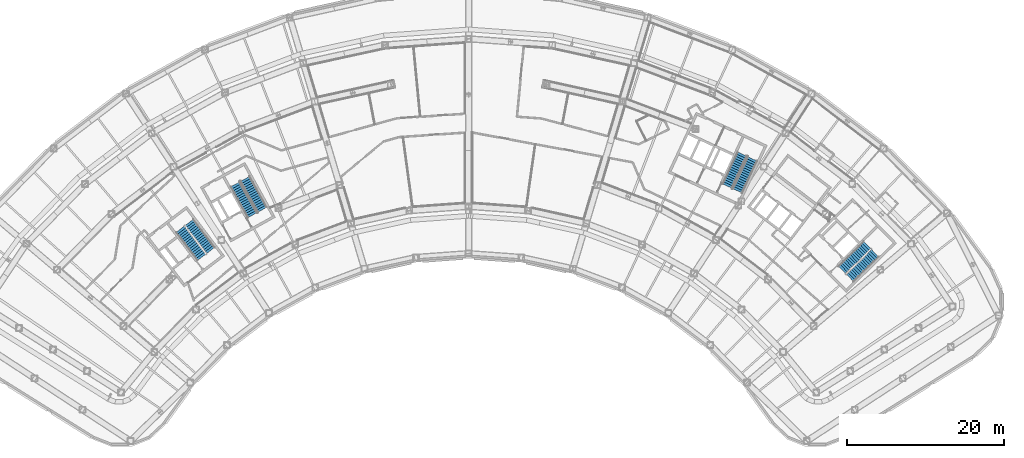
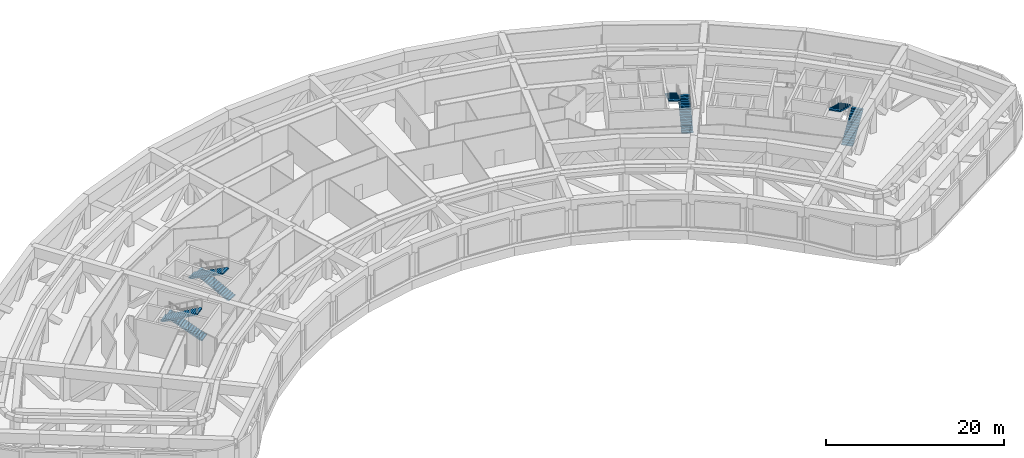
# One storey, part 16 of 30: 8 stair flights, 4 elements without a shape of their own.
"""IFC4 building model written with IfcOpenShell, lengths in metres."""

from ifc_helpers import new_model, si_unit, direction, frame, origin, place, context, subcontext, project, spatial, polyline, outline, extrude, material, type_object, element, aggregate, save


model = new_model("IFC4")

# Units and contexts
model_context = context("Model", 3, precision=1e-05, world=origin(), true_north=direction((0.0, 1.0)))
body_context = subcontext(model_context, "Body", "Model", "MODEL_VIEW")
ifc_project = project(units=[si_unit("LENGTHUNIT", "METRE"), si_unit("AREAUNIT", "SQUARE_METRE"), si_unit("VOLUMEUNIT", "CUBIC_METRE"), si_unit("PLANEANGLEUNIT", "RADIAN"), si_unit("MASSUNIT", "GRAM", prefix="KILO")], contexts=[model_context])

# Site, building, storey
site_placement = place(None, origin())
site = spatial("IfcSite", under=ifc_project, at=site_placement, CompositionType="ELEMENT")
building_placement = place(site_placement, origin())
building = spatial("IfcBuilding", under=site, at=building_placement, Name="Tuul Gate Civic Tower", CompositionType="ELEMENT")
storey_placement = place(building_placement, frame((0.0, 0.0, 26.699951171875)))
storey = spatial("IfcBuildingStorey", under=building, at=storey_placement, Name="Plant and refuge floor 1", CompositionType="ELEMENT", Elevation=26.699951171875)

# Stair, stair flights
ifc_material_1 = material(Name="Concrete C40/50", Category="concrete")
stair_type = type_object("IfcStairType", Name="Exit stair", PredefinedType="HALF_TURN_STAIR", material=ifc_material_1)
stair_1_placement = place(storey_placement, origin())
stair_1 = element("IfcStair", 1, at=stair_1_placement, inside=storey, type_object=stair_type, Name="Plant and refuge floor 1 ST-1", PredefinedType="HALF_TURN_STAIR")
ifc_material_2 = material(Name="Concrete C40/50", Category="concrete")
stair_flight_type = type_object("IfcStairFlightType", Name="Exit stair flight", PredefinedType="STRAIGHT", material=ifc_material_2)
stair_flight_1_placement = place(storey_placement, frame((-32.875244140625, -13.066650390625, 0.0), z_axis=(0.0, 0.0, 1.0), x_axis=(-0.605764474941, 0.795644016442, 0.0)))
stair_flight_1 = element("IfcStairFlight", 2, at=stair_flight_1_placement, type_object=stair_flight_type, Name="ST-1 flight 1", NumberOfRisers=16, NumberOfTreads=15, PredefinedType="STRAIGHT", RiserHeight=0.15, TreadLength=0.3, context=body_context, shape_type="SweptSolid", body=[
    extrude(outline(polyline([(0.0, 0.0), (0.0, 0.14990234375), (0.300048828125, 0.14990234375), (0.300048828125, 0.300048828125), (0.60009765625, 0.300048828125), (0.60009765625, 0.449951171875), (0.89990234375, 0.449951171875), (0.89990234375, 0.60009765625), (1.199951171875, 0.60009765625), (1.199951171875, 0.75), (1.5, 0.75), (1.5, 0.89990234375), (1.800048828125, 0.89990234375), (1.800048828125, 1.050048828125), (2.10009765625, 1.050048828125), (2.10009765625, 1.199951171875), (2.39990234375, 1.199951171875), (2.39990234375, 1.35009765625), (2.699951171875, 1.35009765625), (2.699951171875, 1.5), (3.0, 1.5), (3.0, 1.64990234375), (3.300048828125, 1.64990234375), (3.300048828125, 1.800048828125), (3.60009765625, 1.800048828125), (3.60009765625, 1.949951171875), (3.89990234375, 1.949951171875), (3.89990234375, 2.10009765625), (4.199951171875, 2.10009765625), (4.199951171875, 2.25), (4.5, 2.25), (4.5, 2.39990234375), (4.5, 2.08251953125), (0.335205078125, 0.0), (0.0, 0.0)])), frame((0.0, 0.675048828125, 0.0), z_axis=(0.0, -1.0, 0.0), x_axis=(1.0, 0.0, 0.0)), (0.0, 0.0, 1.0), 1.35009765625),
])
stair_flight_2_placement = place(storey_placement, frame((-36.7548828125, -10.36474609375, 2.400146484375), z_axis=(0.0, 0.0, 1.0), x_axis=(0.605764474941, -0.795644016442, 0.0)))
stair_flight_2 = element("IfcStairFlight", 3, at=stair_flight_2_placement, type_object=stair_flight_type, Name="ST-1 flight 2", NumberOfRisers=16, NumberOfTreads=15, PredefinedType="STRAIGHT", RiserHeight=0.15, TreadLength=0.3, context=body_context, shape_type="SweptSolid", body=[
    extrude(outline(polyline([(0.0, 0.0), (0.0, 0.14990234375), (0.300048828125, 0.14990234375), (0.300048828125, 0.300048828125), (0.60009765625, 0.300048828125), (0.60009765625, 0.449951171875), (0.89990234375, 0.449951171875), (0.89990234375, 0.60009765625), (1.199951171875, 0.60009765625), (1.199951171875, 0.75), (1.5, 0.75), (1.5, 0.89990234375), (1.800048828125, 0.89990234375), (1.800048828125, 1.050048828125), (2.10009765625, 1.050048828125), (2.10009765625, 1.199951171875), (2.39990234375, 1.199951171875), (2.39990234375, 1.35009765625), (2.699951171875, 1.35009765625), (2.699951171875, 1.5), (3.0, 1.5), (3.0, 1.64990234375), (3.300048828125, 1.64990234375), (3.300048828125, 1.800048828125), (3.60009765625, 1.800048828125), (3.60009765625, 1.949951171875), (3.89990234375, 1.949951171875), (3.89990234375, 2.10009765625), (4.199951171875, 2.10009765625), (4.199951171875, 2.25), (4.5, 2.25), (4.5, 2.39990234375), (4.5, 2.08251953125), (0.335205078125, 0.0), (0.0, 0.0)])), frame((0.0, 0.675048828125, 0.0), z_axis=(0.0, -1.0, 0.0), x_axis=(1.0, 0.0, 0.0)), (0.0, 0.0, 1.0), 1.35009765625),
])
aggregate(stair_1, [stair_flight_1, stair_flight_2])

stair_2_placement = place(storey_placement, origin())
stair_2 = element("IfcStair", 4, at=stair_2_placement, inside=storey, type_object=stair_type, Name="Plant and refuge floor 1 ST-2", PredefinedType="HALF_TURN_STAIR")
stair_flight_3_placement = place(storey_placement, frame((-26.29150390625, -7.87646484375, 0.0), z_axis=(0.0, 0.0, 1.0), x_axis=(-0.484761763766, 0.874646232708, 0.0)))
stair_flight_3 = element("IfcStairFlight", 5, at=stair_flight_3_placement, type_object=stair_flight_type, Name="ST-2 flight 1", NumberOfRisers=16, NumberOfTreads=15, PredefinedType="STRAIGHT", RiserHeight=0.15, TreadLength=0.3, context=body_context, shape_type="SweptSolid", body=[
    extrude(outline(polyline([(0.0, 0.0), (0.0, 0.14990234375), (0.300048828125, 0.14990234375), (0.300048828125, 0.300048828125), (0.60009765625, 0.300048828125), (0.60009765625, 0.449951171875), (0.89990234375, 0.449951171875), (0.89990234375, 0.60009765625), (1.199951171875, 0.60009765625), (1.199951171875, 0.75), (1.5, 0.75), (1.5, 0.89990234375), (1.800048828125, 0.89990234375), (1.800048828125, 1.050048828125), (2.10009765625, 1.050048828125), (2.10009765625, 1.199951171875), (2.39990234375, 1.199951171875), (2.39990234375, 1.35009765625), (2.699951171875, 1.35009765625), (2.699951171875, 1.5), (3.0, 1.5), (3.0, 1.64990234375), (3.300048828125, 1.64990234375), (3.300048828125, 1.800048828125), (3.60009765625, 1.800048828125), (3.60009765625, 1.949951171875), (3.89990234375, 1.949951171875), (3.89990234375, 2.10009765625), (4.199951171875, 2.10009765625), (4.199951171875, 2.25), (4.5, 2.25), (4.5, 2.39990234375), (4.5, 2.08251953125), (0.335205078125, 0.0), (0.0, 0.0)])), frame((0.0, 0.675048828125, 0.0), z_axis=(0.0, -1.0, 0.0), x_axis=(1.0, 0.0, 0.0)), (0.0, 0.0, 1.0), 1.35009765625),
])
stair_flight_4_placement = place(storey_placement, frame((-29.7412109375, -4.6435546875, 2.400146484375), z_axis=(0.0, 0.0, 1.0), x_axis=(0.484761763766, -0.874646232708, 0.0)))
stair_flight_4 = element("IfcStairFlight", 6, at=stair_flight_4_placement, type_object=stair_flight_type, Name="ST-2 flight 2", NumberOfRisers=16, NumberOfTreads=15, PredefinedType="STRAIGHT", RiserHeight=0.15, TreadLength=0.3, context=body_context, shape_type="SweptSolid", body=[
    extrude(outline(polyline([(0.0, 0.0), (0.0, 0.14990234375), (0.300048828125, 0.14990234375), (0.300048828125, 0.300048828125), (0.60009765625, 0.300048828125), (0.60009765625, 0.449951171875), (0.89990234375, 0.449951171875), (0.89990234375, 0.60009765625), (1.199951171875, 0.60009765625), (1.199951171875, 0.75), (1.5, 0.75), (1.5, 0.89990234375), (1.800048828125, 0.89990234375), (1.800048828125, 1.050048828125), (2.10009765625, 1.050048828125), (2.10009765625, 1.199951171875), (2.39990234375, 1.199951171875), (2.39990234375, 1.35009765625), (2.699951171875, 1.35009765625), (2.699951171875, 1.5), (3.0, 1.5), (3.0, 1.64990234375), (3.300048828125, 1.64990234375), (3.300048828125, 1.800048828125), (3.60009765625, 1.800048828125), (3.60009765625, 1.949951171875), (3.89990234375, 1.949951171875), (3.89990234375, 2.10009765625), (4.199951171875, 2.10009765625), (4.199951171875, 2.25), (4.5, 2.25), (4.5, 2.39990234375), (4.5, 2.08251953125), (0.335205078125, 0.0), (0.0, 0.0)])), frame((0.0, 0.675048828125, 0.0), z_axis=(0.0, -1.0, 0.0), x_axis=(1.0, 0.0, 0.0)), (0.0, 0.0, 1.0), 1.35009765625),
])
aggregate(stair_2, [stair_flight_3, stair_flight_4])

stair_3_placement = place(storey_placement, origin())
stair_3 = element("IfcStair", 7, at=stair_3_placement, inside=storey, type_object=stair_type, Name="Plant and refuge floor 1 ST-3", PredefinedType="HALF_TURN_STAIR")
stair_flight_5_placement = place(storey_placement, frame((48.61376953125, -16.581787109375, 0.0), z_axis=(0.0, 0.0, 1.0), x_axis=(0.714127290059, 0.700015866672, 0.0)))
stair_flight_5 = element("IfcStairFlight", 8, at=stair_flight_5_placement, type_object=stair_flight_type, Name="ST-3 flight 1", NumberOfRisers=16, NumberOfTreads=15, PredefinedType="STRAIGHT", RiserHeight=0.15, TreadLength=0.3, context=body_context, shape_type="SweptSolid", body=[
    extrude(outline(polyline([(0.0, 0.0), (0.0, 0.14990234375), (0.300048828125, 0.14990234375), (0.300048828125, 0.300048828125), (0.60009765625, 0.300048828125), (0.60009765625, 0.449951171875), (0.89990234375, 0.449951171875), (0.89990234375, 0.60009765625), (1.199951171875, 0.60009765625), (1.199951171875, 0.75), (1.5, 0.75), (1.5, 0.89990234375), (1.800048828125, 0.89990234375), (1.800048828125, 1.050048828125), (2.10009765625, 1.050048828125), (2.10009765625, 1.199951171875), (2.39990234375, 1.199951171875), (2.39990234375, 1.35009765625), (2.699951171875, 1.35009765625), (2.699951171875, 1.5), (3.0, 1.5), (3.0, 1.64990234375), (3.300048828125, 1.64990234375), (3.300048828125, 1.800048828125), (3.60009765625, 1.800048828125), (3.60009765625, 1.949951171875), (3.89990234375, 1.949951171875), (3.89990234375, 2.10009765625), (4.199951171875, 2.10009765625), (4.199951171875, 2.25), (4.5, 2.25), (4.5, 2.39990234375), (4.5, 2.08251953125), (0.335205078125, 0.0), (0.0, 0.0)])), frame((0.0, 0.675048828125, 0.0), z_axis=(0.0, -1.0, 0.0), x_axis=(1.0, 0.0, 0.0)), (0.0, 0.0, 1.0), 1.35009765625),
])
stair_flight_6_placement = place(storey_placement, frame((50.812255859375, -12.396240234375, 2.400146484375), z_axis=(0.0, 0.0, 1.0), x_axis=(-0.714127290059, -0.700015866672, 0.0)))
stair_flight_6 = element("IfcStairFlight", 9, at=stair_flight_6_placement, type_object=stair_flight_type, Name="ST-3 flight 2", NumberOfRisers=16, NumberOfTreads=15, PredefinedType="STRAIGHT", RiserHeight=0.15, TreadLength=0.3, context=body_context, shape_type="SweptSolid", body=[
    extrude(outline(polyline([(0.0, 0.0), (0.0, 0.14990234375), (0.300048828125, 0.14990234375), (0.300048828125, 0.300048828125), (0.60009765625, 0.300048828125), (0.60009765625, 0.449951171875), (0.89990234375, 0.449951171875), (0.89990234375, 0.60009765625), (1.199951171875, 0.60009765625), (1.199951171875, 0.75), (1.5, 0.75), (1.5, 0.89990234375), (1.800048828125, 0.89990234375), (1.800048828125, 1.050048828125), (2.10009765625, 1.050048828125), (2.10009765625, 1.199951171875), (2.39990234375, 1.199951171875), (2.39990234375, 1.35009765625), (2.699951171875, 1.35009765625), (2.699951171875, 1.5), (3.0, 1.5), (3.0, 1.64990234375), (3.300048828125, 1.64990234375), (3.300048828125, 1.800048828125), (3.60009765625, 1.800048828125), (3.60009765625, 1.949951171875), (3.89990234375, 1.949951171875), (3.89990234375, 2.10009765625), (4.199951171875, 2.10009765625), (4.199951171875, 2.25), (4.5, 2.25), (4.5, 2.39990234375), (4.5, 2.08251953125), (0.335205078125, 0.0), (0.0, 0.0)])), frame((0.0, 0.675048828125, 0.0), z_axis=(0.0, -1.0, 0.0), x_axis=(1.0, 0.0, 0.0)), (0.0, 0.0, 1.0), 1.35009765625),
])
aggregate(stair_3, [stair_flight_5, stair_flight_6])

stair_4_placement = place(storey_placement, origin())
stair_4 = element("IfcStair", 10, at=stair_4_placement, inside=storey, type_object=stair_type, Name="Plant and refuge floor 1 ST-4", PredefinedType="HALF_TURN_STAIR")
stair_flight_7_placement = place(storey_placement, frame((34.278564453125, -5.478515625, 0.0), z_axis=(0.0, 0.0, 1.0), x_axis=(0.422576295988, 0.906327354806, 0.0)))
stair_flight_7 = element("IfcStairFlight", 11, at=stair_flight_7_placement, type_object=stair_flight_type, Name="ST-4 flight 1", NumberOfRisers=16, NumberOfTreads=15, PredefinedType="STRAIGHT", RiserHeight=0.15, TreadLength=0.3, context=body_context, shape_type="SweptSolid", body=[
    extrude(outline(polyline([(0.0, 0.0), (0.0, 0.14990234375), (0.300048828125, 0.14990234375), (0.300048828125, 0.300048828125), (0.60009765625, 0.300048828125), (0.60009765625, 0.449951171875), (0.89990234375, 0.449951171875), (0.89990234375, 0.60009765625), (1.199951171875, 0.60009765625), (1.199951171875, 0.75), (1.5, 0.75), (1.5, 0.89990234375), (1.800048828125, 0.89990234375), (1.800048828125, 1.050048828125), (2.10009765625, 1.050048828125), (2.10009765625, 1.199951171875), (2.39990234375, 1.199951171875), (2.39990234375, 1.35009765625), (2.699951171875, 1.35009765625), (2.699951171875, 1.5), (3.0, 1.5), (3.0, 1.64990234375), (3.300048828125, 1.64990234375), (3.300048828125, 1.800048828125), (3.60009765625, 1.800048828125), (3.60009765625, 1.949951171875), (3.89990234375, 1.949951171875), (3.89990234375, 2.10009765625), (4.199951171875, 2.10009765625), (4.199951171875, 2.25), (4.5, 2.25), (4.5, 2.39990234375), (4.5, 2.08251953125), (0.335205078125, 0.0), (0.0, 0.0)])), frame((0.0, 0.675048828125, 0.0), z_axis=(0.0, -1.0, 0.0), x_axis=(1.0, 0.0, 0.0)), (0.0, 0.0, 1.0), 1.35009765625),
])
stair_flight_8_placement = place(storey_placement, frame((34.865966796875, -0.787353515625, 2.400146484375), z_axis=(0.0, 0.0, 1.0), x_axis=(-0.422576295988, -0.906327354806, 0.0)))
stair_flight_8 = element("IfcStairFlight", 12, at=stair_flight_8_placement, type_object=stair_flight_type, Name="ST-4 flight 2", NumberOfRisers=16, NumberOfTreads=15, PredefinedType="STRAIGHT", RiserHeight=0.15, TreadLength=0.3, context=body_context, shape_type="SweptSolid", body=[
    extrude(outline(polyline([(0.0, 0.0), (0.0, 0.14990234375), (0.300048828125, 0.14990234375), (0.300048828125, 0.300048828125), (0.60009765625, 0.300048828125), (0.60009765625, 0.449951171875), (0.89990234375, 0.449951171875), (0.89990234375, 0.60009765625), (1.199951171875, 0.60009765625), (1.199951171875, 0.75), (1.5, 0.75), (1.5, 0.89990234375), (1.800048828125, 0.89990234375), (1.800048828125, 1.050048828125), (2.10009765625, 1.050048828125), (2.10009765625, 1.199951171875), (2.39990234375, 1.199951171875), (2.39990234375, 1.35009765625), (2.699951171875, 1.35009765625), (2.699951171875, 1.5), (3.0, 1.5), (3.0, 1.64990234375), (3.300048828125, 1.64990234375), (3.300048828125, 1.800048828125), (3.60009765625, 1.800048828125), (3.60009765625, 1.949951171875), (3.89990234375, 1.949951171875), (3.89990234375, 2.10009765625), (4.199951171875, 2.10009765625), (4.199951171875, 2.25), (4.5, 2.25), (4.5, 2.39990234375), (4.5, 2.08251953125), (0.335205078125, 0.0), (0.0, 0.0)])), frame((0.0, 0.675048828125, 0.0), z_axis=(0.0, -1.0, 0.0), x_axis=(1.0, 0.0, 0.0)), (0.0, 0.0, 1.0), 1.35009765625),
])
aggregate(stair_4, [stair_flight_7, stair_flight_8])

save(model, "model.ifc")
